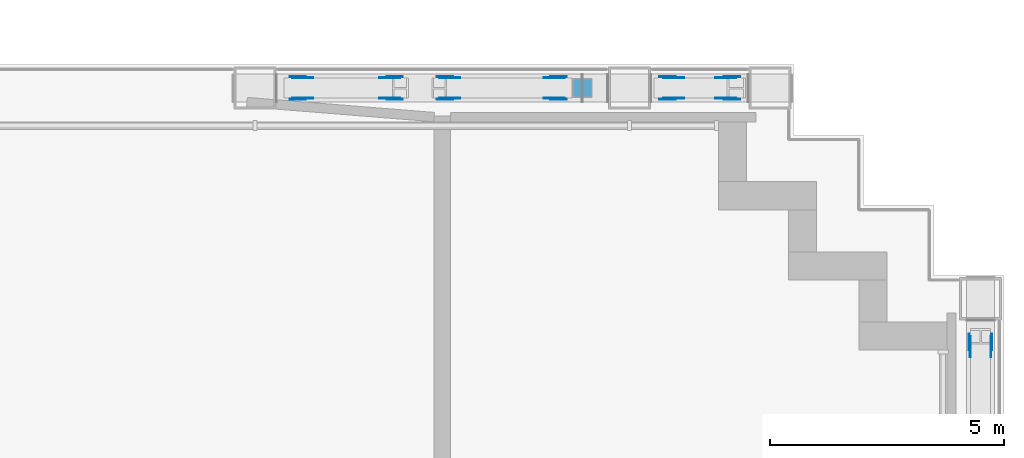
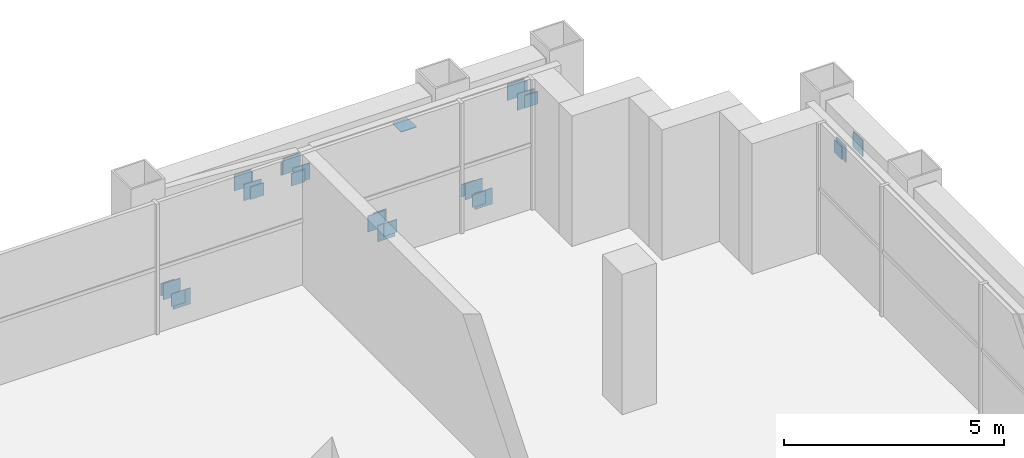
# One storey, part 16 of 19: 29 discrete accessories.
"""IFC4 building model written with IfcOpenShell, lengths in metres."""

from ifc_helpers import new_model, si_unit, direction, frame, origin, origin_2d, place, context, subcontext, project, spatial, rectangle, extrude, element, save


model = new_model("IFC4")

# Units and contexts
model_context = context("Model", 3, precision=1e-05, world=origin(), true_north=direction((0.0, 1.0)))
body_context = subcontext(model_context, "Body", "Model", "MODEL_VIEW")
ifc_project = project(units=[si_unit("LENGTHUNIT", "METRE"), si_unit("AREAUNIT", "SQUARE_METRE"), si_unit("VOLUMEUNIT", "CUBIC_METRE"), si_unit("PLANEANGLEUNIT", "RADIAN"), si_unit("MASSUNIT", "GRAM", prefix="KILO")], contexts=[model_context])

# Site, building, storey
site_placement = place(None, origin())
site = spatial("IfcSite", under=ifc_project, at=site_placement, CompositionType="ELEMENT")
building_placement = place(site_placement, origin())
building = spatial("IfcBuilding", under=site, at=building_placement, Name="Vidyagriha Tower", CompositionType="ELEMENT")
storey_placement = place(building_placement, frame((0.0, 0.0, 73.60009765625)))
storey = spatial("IfcBuildingStorey", under=building, at=storey_placement, Name="L18", CompositionType="ELEMENT", Elevation=73.60009765625)

# Discrete accessories
for number, where, name in (
    (1, (27.020263671875, 19.721923828125, 0.0), "Truss gusset plate ASTM A572 Grade 50 20mm"),
    (2, (27.020263671875, 19.278076171875, 0.0), "Truss gusset plate ASTM A572 Grade 50 20mm"),
    (3, (28.8798828125, 19.721923828125, 2.3701171875), "Truss gusset plate ASTM A572 Grade 50 20mm"),
    (4, (28.8798828125, 19.278076171875, 2.3701171875), "Truss gusset plate ASTM A572 Grade 50 20mm"),
    (5, (30.15966796875, 19.721923828125, 2.3701171875), "Truss gusset plate ASTM A572 Grade 50 20mm"),
    (6, (30.15966796875, 19.278076171875, 2.3701171875), "Truss gusset plate ASTM A572 Grade 50 20mm"),
    (7, (32.390380859375, 19.721923828125, 0.0), "Truss gusset plate ASTM A572 Grade 50 20mm"),
    (8, (32.390380859375, 19.278076171875, 0.0), "Truss gusset plate ASTM A572 Grade 50 20mm"),
    (9, (34.947265625, 19.721923828125, 0.0), "Truss gusset plate ASTM A572 Grade 50 20mm"),
    (10, (34.947265625, 19.278076171875, 0.0), "Truss gusset plate ASTM A572 Grade 50 20mm"),
    (11, (36.052734375, 19.721923828125, 2.3701171875), "Truss gusset plate ASTM A572 Grade 50 20mm"),
    (12, (36.052734375, 19.278076171875, 2.3701171875), "Truss gusset plate ASTM A572 Grade 50 20mm"),
):
    element("IfcDiscreteAccessory", number, at=place(storey_placement, frame(where)), inside=storey, Name=name, ObjectType="GUSSET PLATE", PredefinedType="USERDEFINED", context=body_context, shape_type="SweptSolid", body=[
        extrude(rectangle(XDim=0.449951171875, YDim=0.02001953125, at=origin_2d()), origin(), (0.0, 0.0, 1.0), 0.449951171875),
    ])
for number, where, z_axis, x_axis, name in (
    (13, (41.278076171875, 13.97119140625, 2.3701171875), (0.0, 0.0, 1.0), (0.0, 1.0, 0.0), "Truss gusset plate ASTM A572 Grade 50 20mm"),
    (14, (41.721923828125, 13.97119140625, 2.3701171875), (0.0, 0.0, 1.0), (0.0, 1.0, 0.0), "Truss gusset plate ASTM A572 Grade 50 20mm"),
):
    element("IfcDiscreteAccessory", number, at=place(storey_placement, frame(where, z_axis=z_axis, x_axis=x_axis)), inside=storey, Name=name, ObjectType="GUSSET PLATE", PredefinedType="USERDEFINED", context=body_context, shape_type="SweptSolid", body=[
        extrude(rectangle(XDim=0.449951171875, YDim=0.02001953125, at=origin_2d()), origin(), (0.0, 0.0, 1.0), 0.449951171875),
    ])
for number, where, z_axis, x_axis, name in (
    (15, (26.913818359375, 19.257568359375, 0.111083984375), (0.0, 0.0, 1.0), (-1.0, 0.0, 0.0), "End plate ASTM A572 Grade 50 20mm"),
    (16, (26.913818359375, 19.742431640625, 0.111083984375), (0.0, 0.0, 1.0), (-1.0, 0.0, 0.0), "End plate ASTM A572 Grade 50 20mm"),
):
    element("IfcDiscreteAccessory", number, at=place(storey_placement, frame(where, z_axis=z_axis, x_axis=x_axis)), inside=storey, Name=name, ObjectType="END PLATE", PredefinedType="USERDEFINED", context=body_context, shape_type="SweptSolid", body=[
        extrude(rectangle(XDim=0.35009765625, YDim=0.02001953125, at=origin_2d()), origin(), (0.0, 0.0, 1.0), 0.35009765625),
    ])
for number, where, name in (
    (17, (28.986083984375, 19.742431640625, 2.358642578125), "End plate ASTM A572 Grade 50 20mm"),
    (18, (28.986083984375, 19.257568359375, 2.358642578125), "End plate ASTM A572 Grade 50 20mm"),
):
    element("IfcDiscreteAccessory", number, at=place(storey_placement, frame(where)), inside=storey, Name=name, ObjectType="END PLATE", PredefinedType="USERDEFINED", context=body_context, shape_type="SweptSolid", body=[
        extrude(rectangle(XDim=0.35009765625, YDim=0.02001953125, at=origin_2d()), origin(), (0.0, 0.0, 1.0), 0.35009765625),
    ])
for number, where, z_axis, x_axis, name in (
    (19, (30.06298828125, 19.257568359375, 2.35546875), (0.0, 0.0, 1.0), (-1.0, 0.0, 0.0), "End plate ASTM A572 Grade 50 20mm"),
    (20, (30.06298828125, 19.742431640625, 2.35546875), (0.0, 0.0, 1.0), (-1.0, 0.0, 0.0), "End plate ASTM A572 Grade 50 20mm"),
):
    element("IfcDiscreteAccessory", number, at=place(storey_placement, frame(where, z_axis=z_axis, x_axis=x_axis)), inside=storey, Name=name, ObjectType="END PLATE", PredefinedType="USERDEFINED", context=body_context, shape_type="SweptSolid", body=[
        extrude(rectangle(XDim=0.35009765625, YDim=0.02001953125, at=origin_2d()), origin(), (0.0, 0.0, 1.0), 0.35009765625),
    ])
for number, where, name in (
    (21, (32.48681640625, 19.742431640625, 0.1142578125), "End plate ASTM A572 Grade 50 20mm"),
    (22, (32.48681640625, 19.257568359375, 0.1142578125), "End plate ASTM A572 Grade 50 20mm"),
):
    element("IfcDiscreteAccessory", number, at=place(storey_placement, frame(where)), inside=storey, Name=name, ObjectType="END PLATE", PredefinedType="USERDEFINED", context=body_context, shape_type="SweptSolid", body=[
        extrude(rectangle(XDim=0.35009765625, YDim=0.02001953125, at=origin_2d()), origin(), (0.0, 0.0, 1.0), 0.35009765625),
    ])
for number, where, z_axis, x_axis, name in (
    (23, (34.812744140625, 19.257568359375, 0.0947265625), (0.0, 0.0, 1.0), (-1.0, 0.0, 0.0), "End plate ASTM A572 Grade 50 20mm"),
    (24, (34.812744140625, 19.742431640625, 0.0947265625), (0.0, 0.0, 1.0), (-1.0, 0.0, 0.0), "End plate ASTM A572 Grade 50 20mm"),
):
    element("IfcDiscreteAccessory", number, at=place(storey_placement, frame(where, z_axis=z_axis, x_axis=x_axis)), inside=storey, Name=name, ObjectType="END PLATE", PredefinedType="USERDEFINED", context=body_context, shape_type="SweptSolid", body=[
        extrude(rectangle(XDim=0.35009765625, YDim=0.02001953125, at=origin_2d()), origin(), (0.0, 0.0, 1.0), 0.35009765625),
    ])
for number, where, name in (
    (25, (36.187255859375, 19.742431640625, 2.375), "End plate ASTM A572 Grade 50 20mm"),
    (26, (36.187255859375, 19.257568359375, 2.375), "End plate ASTM A572 Grade 50 20mm"),
):
    element("IfcDiscreteAccessory", number, at=place(storey_placement, frame(where)), inside=storey, Name=name, ObjectType="END PLATE", PredefinedType="USERDEFINED", context=body_context, shape_type="SweptSolid", body=[
        extrude(rectangle(XDim=0.35009765625, YDim=0.02001953125, at=origin_2d()), origin(), (0.0, 0.0, 1.0), 0.35009765625),
    ])
discrete_accessory_placement = place(storey_placement, frame((33.0, 19.5, 2.80029296875)))
element("IfcDiscreteAccessory", 27, at=discrete_accessory_placement, inside=storey, Name="End plate ASTM A572 Grade 50 20mm", ObjectType="END PLATE", PredefinedType="USERDEFINED", context=body_context, shape_type="SweptSolid", body=[
    extrude(rectangle(XDim=0.406494140625, YDim=0.406494140625, at=origin_2d()), origin(), (0.0, 0.0, 1.0), 0.02001953125),
])
for number, where, z_axis, x_axis, name in (
    (28, (41.257568359375, 14.0751953125, 2.357666015625), (0.0, 0.0, 1.0), (0.0, 1.0, 0.0), "End plate ASTM A572 Grade 50 20mm"),
    (29, (41.742431640625, 14.0751953125, 2.357666015625), (0.0, 0.0, 1.0), (0.0, 1.0, 0.0), "End plate ASTM A572 Grade 50 20mm"),
):
    element("IfcDiscreteAccessory", number, at=place(storey_placement, frame(where, z_axis=z_axis, x_axis=x_axis)), inside=storey, Name=name, ObjectType="END PLATE", PredefinedType="USERDEFINED", context=body_context, shape_type="SweptSolid", body=[
        extrude(rectangle(XDim=0.35009765625, YDim=0.02001953125, at=origin_2d()), origin(), (0.0, 0.0, 1.0), 0.35009765625),
    ])

save(model, "model.ifc")
